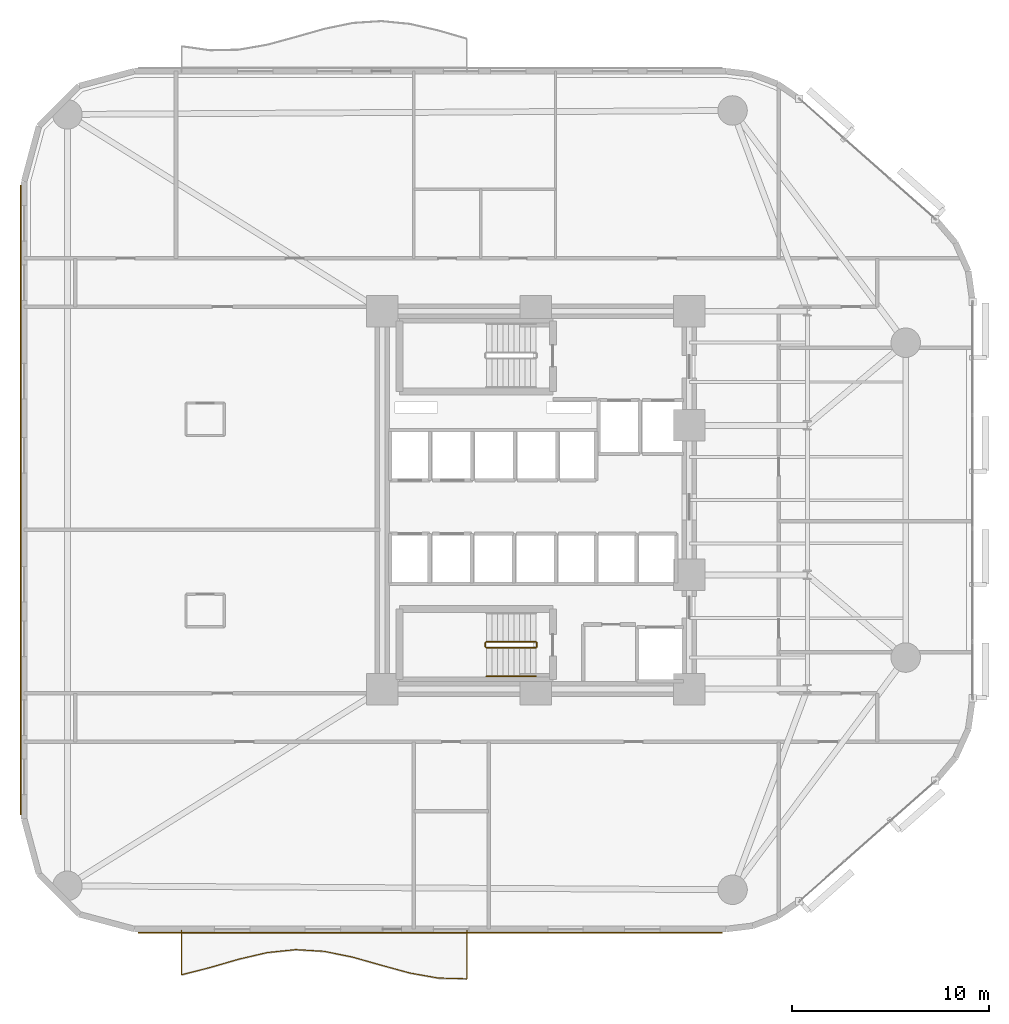
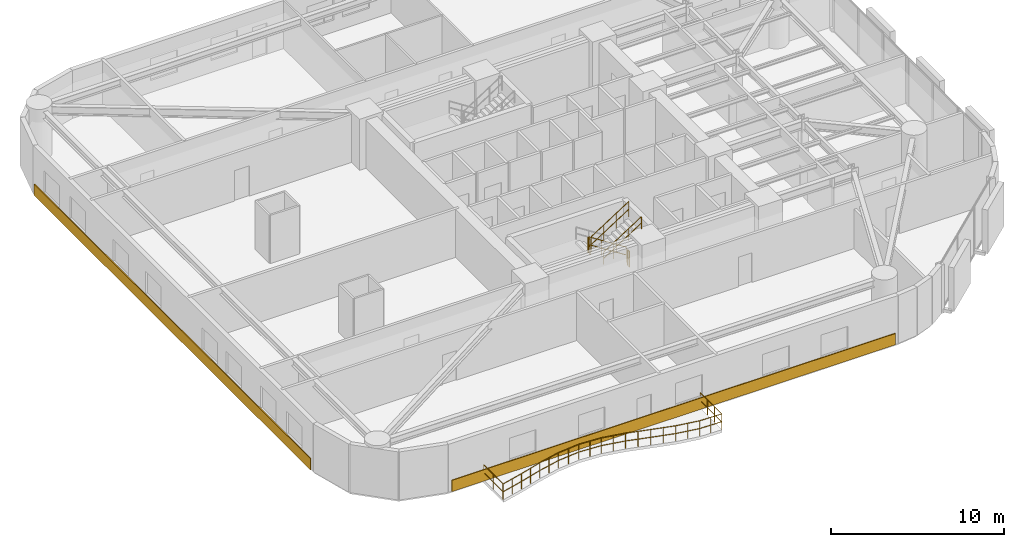
# One storey, part 14 of 16: 6 railings, 2 coverings.
"""IFC4 building model written with IfcOpenShell, lengths in metres."""

from ifc_helpers import new_model, si_unit, direction, frame, origin, origin_2d, place, context, subcontext, project, spatial, rectangle, circle, extrude, material, layer, layer_set, type_object, element, save


model = new_model("IFC4")

# Units and contexts
model_context = context("Model", 3, precision=1e-05, world=origin(), true_north=direction((0.0, 1.0)))
body_context = subcontext(model_context, "Body", "Model", "MODEL_VIEW")
ifc_project = project(units=[si_unit("LENGTHUNIT", "METRE"), si_unit("AREAUNIT", "SQUARE_METRE"), si_unit("VOLUMEUNIT", "CUBIC_METRE"), si_unit("PLANEANGLEUNIT", "RADIAN"), si_unit("MASSUNIT", "GRAM", prefix="KILO")], contexts=[model_context])

# Site, building, storey
site_placement = place(None, origin())
site = spatial("IfcSite", under=ifc_project, at=site_placement, CompositionType="ELEMENT")
building_placement = place(site_placement, origin())
building = spatial("IfcBuilding", under=site, at=building_placement, Name="An Khanh Terracotta Commons", CompositionType="ELEMENT")
storey_placement = place(building_placement, frame((0.0, 0.0, 43.199951171875)))
storey = spatial("IfcBuildingStorey", under=building, at=storey_placement, Name="L11", CompositionType="ELEMENT", Elevation=43.199951171875)

# Coverings
ifc_material_1 = material(Name="Fired Terracotta Rainscreen Cladding", Category="masonry")
ifc_layer = layer(ifc_material_1, 0.06005859375, Name="Fired Terracotta Rainscreen Cladding")
ifc_layer_set = layer_set([ifc_layer], Name="Fired Terracotta Rainscreen Cladding")
covering_type = type_object("IfcCoveringType", Name="COV-SPANDREL-TERRA", PredefinedType="CLADDING", material=ifc_layer_set)
covering_1_placement = place(storey_placement, frame((24.0400390625, 2.02001953125, 0.02001953125), z_axis=(0.0, 0.0, 1.0), x_axis=(1.0, 0.0, 0.0)))
element("IfcCovering", 1, at=covering_1_placement, inside=storey, type_object=covering_type, Name="L11 Terracotta Spandrel Cladding 4", PredefinedType="CLADDING", context=body_context, shape_type="SweptSolid", body=[
    extrude(rectangle(XDim=29.678955078125, YDim=0.06005859375, at=origin_2d()), origin(), (0.0, 0.0, 1.0), 0.800048828125),
])
covering_2_placement = place(storey_placement, frame((3.219970703125, 24.0, 0.02001953125), z_axis=(0.0, 0.0, 1.0), x_axis=(0.0, -1.0, 0.0)))
element("IfcCovering", 2, at=covering_2_placement, inside=storey, type_object=covering_type, Name="L11 Terracotta Spandrel Cladding 24", PredefinedType="CLADDING", context=body_context, shape_type="SweptSolid", body=[
    extrude(rectangle(XDim=32.0, YDim=0.06005859375, at=origin_2d()), origin(), (0.0, 0.0, 1.0), 0.800048828125),
])

# Railings
ifc_material_2 = material(Name="Brushed Stainless Steel 316", Category="steel")
railing_type_1 = type_object("IfcRailingType", Name="RAIL-BALUSTRADE-1100", PredefinedType="BALUSTRADE", material=ifc_material_2)
railing_1_placement = place(storey_placement, frame((11.39990234375, 2.139892578125, 0.0)))
element("IfcRailing", 3, at=railing_1_placement, inside=storey, type_object=railing_type_1, Name="L11 S Wave Balcony Guard Balustrade", PredefinedType="BALUSTRADE", context=body_context, shape_type="SweptSolid", body=[
    extrude(circle(Radius=0.02392578125, at=origin_2d()), frame((0.0, 0.0, 1.076171875), z_axis=(0.0, -1.0, 0.0), x_axis=(1.0, 0.0, 0.0)), (0.0, 0.0, 1.0), 2.260009765625),
    extrude(circle(Radius=0.02392578125, at=origin_2d()), frame((0.0, 0.0, 0.52587890625), z_axis=(0.0, -1.0, 0.0), x_axis=(1.0, 0.0, 0.0)), (0.0, 0.0, 1.0), 2.260009765625),
    extrude(circle(Radius=0.02392578125, at=origin_2d()), frame((0.0, -2.260009765625, 1.076171875), z_axis=(0.969097173923, 0.246679280635, 0.0), x_axis=(-0.246679280635, 0.969097173923, 0.0)), (0.0, 0.0, 1.0), 1.496337890625),
    extrude(circle(Radius=0.02392578125, at=origin_2d()), frame((0.0, -2.260009765625, 0.52587890625), z_axis=(0.969097173923, 0.246679280635, 0.0), x_axis=(-0.246679280635, 0.969097173923, 0.0)), (0.0, 0.0, 1.0), 1.496337890625),
    extrude(circle(Radius=0.02392578125, at=origin_2d()), frame((1.4501953125, -1.890869140625, 1.076171875), z_axis=(0.960356002851, 0.278776519434, 0.0), x_axis=(-0.278776519434, 0.960356002851, 0.0)), (0.0, 0.0, 1.0), 1.509765625),
    extrude(circle(Radius=0.02392578125, at=origin_2d()), frame((1.4501953125, -1.890869140625, 0.52587890625), z_axis=(0.960356002851, 0.278776519434, 0.0), x_axis=(-0.278776519434, 0.960356002851, 0.0)), (0.0, 0.0, 1.0), 1.509765625),
    extrude(circle(Radius=0.02392578125, at=origin_2d()), frame((2.900146484375, -1.469970703125, 1.076171875), z_axis=(0.973869021788, 0.227110388142, 0.0), x_axis=(-0.227110388142, 0.973869021788, 0.0)), (0.0, 0.0, 1.0), 1.48876953125),
    extrude(circle(Radius=0.02392578125, at=origin_2d()), frame((2.900146484375, -1.469970703125, 0.52587890625), z_axis=(0.973869021788, 0.227110388142, 0.0), x_axis=(-0.227110388142, 0.973869021788, 0.0)), (0.0, 0.0, 1.0), 1.48876953125),
    extrude(circle(Radius=0.02392578125, at=origin_2d()), frame((4.35009765625, -1.1318359375, 1.076171875), z_axis=(0.994698294231, 0.102836294436, 0.0), x_axis=(-0.102836294436, 0.994698294231, 0.0)), (0.0, 0.0, 1.0), 1.457763671875),
    extrude(circle(Radius=0.02392578125, at=origin_2d()), frame((4.35009765625, -1.1318359375, 0.52587890625), z_axis=(0.994698294231, 0.102836294436, 0.0), x_axis=(-0.102836294436, 0.994698294231, 0.0)), (0.0, 0.0, 1.0), 1.457763671875),
    extrude(circle(Radius=0.02392578125, at=origin_2d()), frame((5.800048828125, -0.98193359375, 1.076171875), z_axis=(0.99820826031, -0.059835349498, 0.0), x_axis=(0.059835349498, 0.99820826031, 0.0)), (0.0, 0.0, 1.0), 1.45263671875),
    extrude(circle(Radius=0.02392578125, at=origin_2d()), frame((5.800048828125, -0.98193359375, 0.52587890625), z_axis=(0.99820826031, -0.059835349498, 0.0), x_axis=(0.059835349498, 0.99820826031, 0.0)), (0.0, 0.0, 1.0), 1.45263671875),
    extrude(circle(Radius=0.02392578125, at=origin_2d()), frame((7.25, -1.06884765625, 1.076171875), z_axis=(0.979908801589, -0.199446084364, 0.0), x_axis=(0.199446084364, 0.979908801589, 0.0)), (0.0, 0.0, 1.0), 1.47998046875),
    extrude(circle(Radius=0.02392578125, at=origin_2d()), frame((7.25, -1.06884765625, 0.52587890625), z_axis=(0.979908801589, -0.199446084364, 0.0), x_axis=(0.199446084364, 0.979908801589, 0.0)), (0.0, 0.0, 1.0), 1.47998046875),
    extrude(circle(Radius=0.02392578125, at=origin_2d()), frame((8.7001953125, -1.364013671875, 1.076171875), z_axis=(0.962284509869, -0.272045073593, 0.0), x_axis=(0.272045073593, 0.962284509869, 0.0)), (0.0, 0.0, 1.0), 1.5068359375),
    extrude(circle(Radius=0.02392578125, at=origin_2d()), frame((8.7001953125, -1.364013671875, 0.52587890625), z_axis=(0.962284509869, -0.272045073593, 0.0), x_axis=(0.272045073593, 0.962284509869, 0.0)), (0.0, 0.0, 1.0), 1.5068359375),
    extrude(circle(Radius=0.02392578125, at=origin_2d()), frame((10.150146484375, -1.77392578125, 1.076171875), z_axis=(0.964504761538, -0.264065455845, 0.0), x_axis=(0.264065455845, 0.964504761538, 0.0)), (0.0, 0.0, 1.0), 1.50341796875),
    extrude(circle(Radius=0.02392578125, at=origin_2d()), frame((10.150146484375, -1.77392578125, 0.52587890625), z_axis=(0.964504761538, -0.264065455845, 0.0), x_axis=(0.264065455845, 0.964504761538, 0.0)), (0.0, 0.0, 1.0), 1.50341796875),
    extrude(circle(Radius=0.02392578125, at=origin_2d()), frame((11.60009765625, -2.1708984375, 1.076171875), z_axis=(0.984643037785, -0.174579747228, 0.0), x_axis=(0.174579747228, 0.984643037785, 0.0)), (0.0, 0.0, 1.0), 1.47265625),
    extrude(circle(Radius=0.02392578125, at=origin_2d()), frame((11.60009765625, -2.1708984375, 0.52587890625), z_axis=(0.984643037785, -0.174579747228, 0.0), x_axis=(0.174579747228, 0.984643037785, 0.0)), (0.0, 0.0, 1.0), 1.47265625),
    extrude(circle(Radius=0.02392578125, at=origin_2d()), frame((13.050048828125, -2.427978515625, 1.076171875), z_axis=(0.999659603601, -0.026089785916, 0.0), x_axis=(0.026089785916, 0.999659603601, 0.0)), (0.0, 0.0, 1.0), 1.450439453125),
    extrude(circle(Radius=0.02392578125, at=origin_2d()), frame((13.050048828125, -2.427978515625, 0.52587890625), z_axis=(0.999659603601, -0.026089785916, 0.0), x_axis=(0.026089785916, 0.999659603601, 0.0)), (0.0, 0.0, 1.0), 1.450439453125),
    extrude(circle(Radius=0.02392578125, at=origin_2d()), frame((14.5, -2.4658203125, 1.076171875), z_axis=(0.0, 1.0, 0.0), x_axis=(-1.0, 0.0, 0.0)), (0.0, 0.0, 1.0), 2.4658203125),
    extrude(circle(Radius=0.02392578125, at=origin_2d()), frame((14.5, -2.4658203125, 0.52587890625), z_axis=(0.0, 1.0, 0.0), x_axis=(-1.0, 0.0, 0.0)), (0.0, 0.0, 1.0), 2.4658203125),
    extrude(circle(Radius=0.02099609375, at=origin_2d()), origin(), (0.0, 0.0, 1.0), 1.052001953125),
    extrude(circle(Radius=0.02099609375, at=origin_2d()), frame((0.0, -1.1298828125, 0.0)), (0.0, 0.0, 1.0), 1.052001953125),
    extrude(circle(Radius=0.02099609375, at=origin_2d()), frame((0.0, -2.260009765625, 0.0)), (0.0, 0.0, 1.0), 1.052001953125),
    extrude(circle(Radius=0.02099609375, at=origin_2d()), frame((0.72509765625, -2.075439453125, 0.0)), (0.0, 0.0, 1.0), 1.052001953125),
    extrude(circle(Radius=0.02099609375, at=origin_2d()), frame((1.4501953125, -1.890869140625, 0.0)), (0.0, 0.0, 1.0), 1.052001953125),
    extrude(circle(Radius=0.02099609375, at=origin_2d()), frame((2.17529296875, -1.680419921875, 0.0)), (0.0, 0.0, 1.0), 1.052001953125),
    extrude(circle(Radius=0.02099609375, at=origin_2d()), frame((2.900146484375, -1.469970703125, 0.0)), (0.0, 0.0, 1.0), 1.052001953125),
    extrude(circle(Radius=0.02099609375, at=origin_2d()), frame((3.625, -1.30078125, 0.0)), (0.0, 0.0, 1.0), 1.052001953125),
    extrude(circle(Radius=0.02099609375, at=origin_2d()), frame((4.35009765625, -1.1318359375, 0.0)), (0.0, 0.0, 1.0), 1.052001953125),
    extrude(circle(Radius=0.02099609375, at=origin_2d()), frame((5.0751953125, -1.056884765625, 0.0)), (0.0, 0.0, 1.0), 1.052001953125),
    extrude(circle(Radius=0.02099609375, at=origin_2d()), frame((5.800048828125, -0.98193359375, 0.0)), (0.0, 0.0, 1.0), 1.052001953125),
    extrude(circle(Radius=0.02099609375, at=origin_2d()), frame((6.52490234375, -1.025390625, 0.0)), (0.0, 0.0, 1.0), 1.052001953125),
    extrude(circle(Radius=0.02099609375, at=origin_2d()), frame((7.25, -1.06884765625, 0.0)), (0.0, 0.0, 1.0), 1.052001953125),
    extrude(circle(Radius=0.02099609375, at=origin_2d()), frame((7.97509765625, -1.21630859375, 0.0)), (0.0, 0.0, 1.0), 1.052001953125),
    extrude(circle(Radius=0.02099609375, at=origin_2d()), frame((8.7001953125, -1.364013671875, 0.0)), (0.0, 0.0, 1.0), 1.052001953125),
    extrude(circle(Radius=0.02099609375, at=origin_2d()), frame((9.42529296875, -1.56884765625, 0.0)), (0.0, 0.0, 1.0), 1.052001953125),
    extrude(circle(Radius=0.02099609375, at=origin_2d()), frame((10.150146484375, -1.77392578125, 0.0)), (0.0, 0.0, 1.0), 1.052001953125),
    extrude(circle(Radius=0.02099609375, at=origin_2d()), frame((10.875, -1.972412109375, 0.0)), (0.0, 0.0, 1.0), 1.052001953125),
    extrude(circle(Radius=0.02099609375, at=origin_2d()), frame((11.60009765625, -2.1708984375, 0.0)), (0.0, 0.0, 1.0), 1.052001953125),
    extrude(circle(Radius=0.02099609375, at=origin_2d()), frame((12.3251953125, -2.29931640625, 0.0)), (0.0, 0.0, 1.0), 1.052001953125),
    extrude(circle(Radius=0.02099609375, at=origin_2d()), frame((13.050048828125, -2.427978515625, 0.0)), (0.0, 0.0, 1.0), 1.052001953125),
    extrude(circle(Radius=0.02099609375, at=origin_2d()), frame((13.77490234375, -2.44677734375, 0.0)), (0.0, 0.0, 1.0), 1.052001953125),
    extrude(circle(Radius=0.02099609375, at=origin_2d()), frame((14.5, -2.4658203125, 0.0)), (0.0, 0.0, 1.0), 1.052001953125),
    extrude(circle(Radius=0.02099609375, at=origin_2d()), frame((14.5, -1.643798828125, 0.0)), (0.0, 0.0, 1.0), 1.052001953125),
    extrude(circle(Radius=0.02099609375, at=origin_2d()), frame((14.5, -0.822021484375, 0.0)), (0.0, 0.0, 1.0), 1.052001953125),
    extrude(circle(Radius=0.02099609375, at=origin_2d()), frame((14.5, 0.0, 0.0)), (0.0, 0.0, 1.0), 1.052001953125),
])
railing_type_2 = type_object("IfcRailingType", Name="RAIL-HANDRAIL-900", PredefinedType="HANDRAIL", material=ifc_material_2)
railing_2_placement = place(storey_placement, frame((26.889892578125, 15.050048828125, 1.97998046875)))
element("IfcRailing", 4, at=railing_2_placement, inside=storey, type_object=railing_type_2, Name="L11 ST-02 stair handrail 2", PredefinedType="HANDRAIL", context=body_context, shape_type="SweptSolid", body=[
    extrude(circle(Radius=0.02392578125, at=origin_2d()), frame((0.0, 0.0, 0.8759765625), z_axis=(0.841162588446, 0.0, 0.540782303519), x_axis=(0.0, 1.0, 0.0)), (0.0, 0.0, 1.0), 2.995849609375),
    extrude(circle(Radius=0.02392578125, at=origin_2d()), frame((0.0, 0.0, 0.42578125), z_axis=(0.841162588446, 0.0, 0.540782303519), x_axis=(0.0, 1.0, 0.0)), (0.0, 0.0, 1.0), 2.995849609375),
    extrude(circle(Radius=0.02099609375, at=origin_2d()), origin(), (0.0, 0.0, 1.0), 0.851806640625),
    extrude(circle(Radius=0.02099609375, at=origin_2d()), frame((0.840087890625, 0.0, 0.5400390625)), (0.0, 0.0, 1.0), 0.851806640625),
    extrude(circle(Radius=0.02099609375, at=origin_2d()), frame((1.679931640625, 0.0, 1.080078125)), (0.0, 0.0, 1.0), 0.851806640625),
    extrude(circle(Radius=0.02099609375, at=origin_2d()), frame((2.52001953125, 0.0, 1.6201171875)), (0.0, 0.0, 1.0), 0.851806640625),
])
ifc_material_3 = material(Name="Powder-Coated Steel S355J2", Category="steel")
railing_type_3 = type_object("IfcRailingType", Name="RAIL-STAIR-GUARD-1100", PredefinedType="BALUSTRADE", material=ifc_material_3)
railing_3_placement = place(storey_placement, frame((29.409912109375, 16.800048828125, 0.179931640625)))
element("IfcRailing", 5, at=railing_3_placement, inside=storey, type_object=railing_type_3, Name="L11 ST-02 stair guard 1", PredefinedType="BALUSTRADE", context=body_context, shape_type="SweptSolid", body=[
    extrude(circle(Radius=0.02392578125, at=origin_2d()), frame((0.0, 0.0, 1.076171875), z_axis=(-0.841162588446, 0.0, 0.540782303519), x_axis=(0.0, -1.0, 0.0)), (0.0, 0.0, 1.0), 2.995849609375),
    extrude(circle(Radius=0.02392578125, at=origin_2d()), frame((0.0, 0.0, 0.52587890625), z_axis=(-0.841162588446, 0.0, 0.540782303519), x_axis=(0.0, -1.0, 0.0)), (0.0, 0.0, 1.0), 2.995849609375),
    extrude(circle(Radius=0.02099609375, at=origin_2d()), origin(), (0.0, 0.0, 1.0), 1.052001953125),
    extrude(circle(Radius=0.02099609375, at=origin_2d()), frame((-0.840087890625, 0.0, 0.5400390625)), (0.0, 0.0, 1.0), 1.052001953125),
    extrude(circle(Radius=0.02099609375, at=origin_2d()), frame((-1.679931640625, 0.0, 1.080078125)), (0.0, 0.0, 1.0), 1.052001953125),
    extrude(circle(Radius=0.02099609375, at=origin_2d()), frame((-2.52001953125, 0.0, 1.6201171875)), (0.0, 0.0, 1.0), 1.052001953125),
])
railing_4_placement = place(storey_placement, frame((26.840087890625, 16.75, 1.800048828125)))
element("IfcRailing", 6, at=railing_4_placement, inside=storey, type_object=railing_type_3, Name="L11 ST-02 stair guard 2", PredefinedType="BALUSTRADE", context=body_context, shape_type="SweptSolid", body=[
    extrude(circle(Radius=0.02392578125, at=origin_2d()), frame((0.0, 0.0, 1.076171875), z_axis=(0.0, -1.0, 0.0), x_axis=(1.0, 0.0, 0.0)), (0.0, 0.0, 1.0), 0.199951171875),
    extrude(circle(Radius=0.02392578125, at=origin_2d()), frame((0.0, 0.0, 0.52587890625), z_axis=(0.0, -1.0, 0.0), x_axis=(1.0, 0.0, 0.0)), (0.0, 0.0, 1.0), 0.199951171875),
    extrude(circle(Radius=0.02099609375, at=origin_2d()), origin(), (0.0, 0.0, 1.0), 1.052001953125),
    extrude(circle(Radius=0.02099609375, at=origin_2d()), frame((0.0, -0.199951171875, 0.0)), (0.0, 0.0, 1.0), 1.052001953125),
])
railing_5_placement = place(storey_placement, frame((26.889892578125, 16.5, 1.97998046875)))
element("IfcRailing", 7, at=railing_5_placement, inside=storey, type_object=railing_type_3, Name="L11 ST-02 stair guard 3", PredefinedType="BALUSTRADE", context=body_context, shape_type="SweptSolid", body=[
    extrude(circle(Radius=0.02392578125, at=origin_2d()), frame((0.0, 0.0, 1.076171875), z_axis=(0.841162588446, 0.0, 0.540782303519), x_axis=(0.0, 1.0, 0.0)), (0.0, 0.0, 1.0), 2.995849609375),
    extrude(circle(Radius=0.02392578125, at=origin_2d()), frame((0.0, 0.0, 0.52587890625), z_axis=(0.841162588446, 0.0, 0.540782303519), x_axis=(0.0, 1.0, 0.0)), (0.0, 0.0, 1.0), 2.995849609375),
    extrude(circle(Radius=0.02099609375, at=origin_2d()), origin(), (0.0, 0.0, 1.0), 1.052001953125),
    extrude(circle(Radius=0.02099609375, at=origin_2d()), frame((0.840087890625, 0.0, 0.5400390625)), (0.0, 0.0, 1.0), 1.052001953125),
    extrude(circle(Radius=0.02099609375, at=origin_2d()), frame((1.679931640625, 0.0, 1.080078125)), (0.0, 0.0, 1.0), 1.052001953125),
    extrude(circle(Radius=0.02099609375, at=origin_2d()), frame((2.52001953125, 0.0, 1.6201171875)), (0.0, 0.0, 1.0), 1.052001953125),
])
railing_6_placement = place(storey_placement, frame((29.4599609375, 16.75, 0.0)))
element("IfcRailing", 8, at=railing_6_placement, inside=storey, type_object=railing_type_3, Name="L11 ST-02 stair guard 4", PredefinedType="BALUSTRADE", context=body_context, shape_type="SweptSolid", body=[
    extrude(circle(Radius=0.02392578125, at=origin_2d()), frame((0.0, 0.0, 1.076171875), z_axis=(0.0, -1.0, 0.0), x_axis=(1.0, 0.0, 0.0)), (0.0, 0.0, 1.0), 0.199951171875),
    extrude(circle(Radius=0.02392578125, at=origin_2d()), frame((0.0, 0.0, 0.52587890625), z_axis=(0.0, -1.0, 0.0), x_axis=(1.0, 0.0, 0.0)), (0.0, 0.0, 1.0), 0.199951171875),
    extrude(circle(Radius=0.02099609375, at=origin_2d()), origin(), (0.0, 0.0, 1.0), 1.052001953125),
    extrude(circle(Radius=0.02099609375, at=origin_2d()), frame((0.0, -0.199951171875, 0.0)), (0.0, 0.0, 1.0), 1.052001953125),
])

save(model, "model.ifc")
